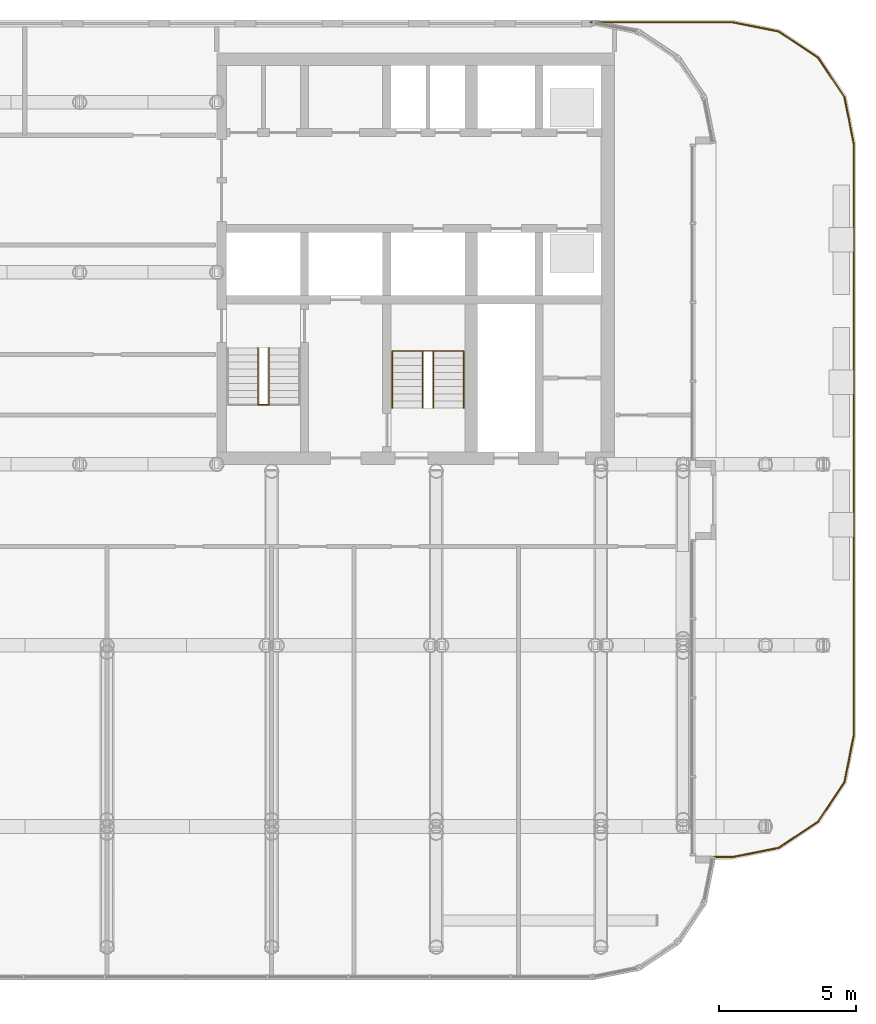
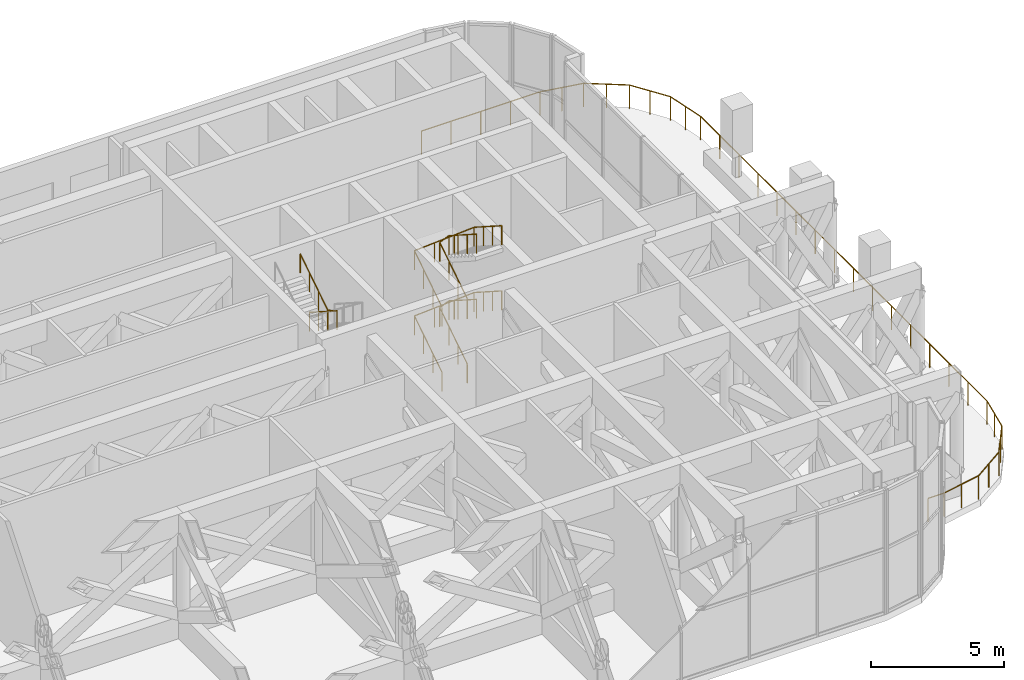
# One storey, part 23 of 25: 6 railings.
"""IFC4 building model written with IfcOpenShell, lengths in metres."""

from ifc_helpers import new_model, si_unit, direction, frame, origin, origin_2d, place, context, subcontext, project, spatial, circle, extrude, material, type_object, element, save


model = new_model("IFC4")

# Units and contexts
model_context = context("Model", 3, precision=1e-05, world=origin(), true_north=direction((0.0, 1.0)))
body_context = subcontext(model_context, "Body", "Model", "MODEL_VIEW")
ifc_project = project(units=[si_unit("LENGTHUNIT", "METRE"), si_unit("AREAUNIT", "SQUARE_METRE"), si_unit("VOLUMEUNIT", "CUBIC_METRE"), si_unit("PLANEANGLEUNIT", "RADIAN"), si_unit("MASSUNIT", "GRAM", prefix="KILO")], contexts=[model_context])

# Site, building, storey
site_placement = place(None, origin())
site = spatial("IfcSite", under=ifc_project, at=site_placement, CompositionType="ELEMENT")
building_placement = place(site_placement, origin())
building = spatial("IfcBuilding", under=site, at=building_placement, Name="Torana Hotel and Residences", CompositionType="ELEMENT")
storey_placement = place(building_placement, frame((0.0, 0.0, 106.800048828125)))
storey = spatial("IfcBuildingStorey", under=building, at=storey_placement, Name="L27", CompositionType="ELEMENT", Elevation=106.800048828125)

# Railings
ifc_material_1 = material(Name="Laminated glass balustrade with black handrail", Category="glass")
railing_type_1 = type_object("IfcRailingType", Name="GR1 BALCONY GUARD 1100 GLASS", PredefinedType="GUARDRAIL", material=ifc_material_1)
railing_1_placement = place(storey_placement, frame((23.625, 1.1201171875, 0.0)))
element("IfcRailing", 1, at=railing_1_placement, inside=storey, type_object=railing_type_1, Name="Terrace guard L27 1", PredefinedType="GUARDRAIL", context=body_context, shape_type="SweptSolid", body=[
    extrude(circle(Radius=0.02392578125, at=origin_2d()), frame((0.0, 0.0, 1.076171875), z_axis=(1.0, 0.0, 0.0), x_axis=(0.0, 1.0, 0.0)), (0.0, 0.0, 1.0), 5.1669921875),
    extrude(circle(Radius=0.02392578125, at=origin_2d()), frame((5.1669921875, 0.0, 1.076171875), z_axis=(0.980764541921, -0.195194552459, 0.0), x_axis=(0.195194552459, 0.980764541921, 0.0)), (0.0, 0.0, 1.0), 1.732177734375),
    extrude(circle(Radius=0.02392578125, at=origin_2d()), frame((6.865966796875, -0.338134765625, 1.076171875), z_axis=(0.831461551283, -0.555582296999, 0.0), x_axis=(0.555582296999, 0.831461551283, 0.0)), (0.0, 0.0, 1.0), 1.723876953125),
    extrude(circle(Radius=0.02392578125, at=origin_2d()), frame((8.29931640625, -1.2958984375, 1.076171875), z_axis=(0.555582296999, -0.831461551283, 0.0), x_axis=(0.831461551283, 0.555582296999, 0.0)), (0.0, 0.0, 1.0), 1.723876953125),
    extrude(circle(Radius=0.02392578125, at=origin_2d()), frame((9.257080078125, -2.729248046875, 1.076171875), z_axis=(0.195085948833, -0.980786150273, 0.0), x_axis=(0.980786150273, 0.195085948833, 0.0)), (0.0, 0.0, 1.0), 1.73193359375),
    extrude(circle(Radius=0.02392578125, at=origin_2d()), frame((9.594970703125, -4.427978515625, 1.076171875), z_axis=(0.0, -1.0, 0.0), x_axis=(1.0, 0.0, 0.0)), (0.0, 0.0, 1.0), 21.584228515625),
    extrude(circle(Radius=0.02392578125, at=origin_2d()), frame((9.594970703125, -26.01220703125, 1.076171875), z_axis=(-0.195085948833, -0.980786150273, 0.0), x_axis=(0.980786150273, -0.195085948833, 0.0)), (0.0, 0.0, 1.0), 1.73193359375),
    extrude(circle(Radius=0.02392578125, at=origin_2d()), frame((9.257080078125, -27.7109375, 1.076171875), z_axis=(-0.555516881458, -0.831505258201, 0.0), x_axis=(0.831505258201, -0.555516881458, 0.0)), (0.0, 0.0, 1.0), 1.72412109375),
    extrude(circle(Radius=0.02392578125, at=origin_2d()), frame((8.29931640625, -29.14453125, 1.076171875), z_axis=(-0.831461551283, -0.555582296999, 0.0), x_axis=(0.555582296999, -0.831461551283, 0.0)), (0.0, 0.0, 1.0), 1.723876953125),
    extrude(circle(Radius=0.02392578125, at=origin_2d()), frame((6.865966796875, -30.102294921875, 1.076171875), z_axis=(-0.980791513817, -0.195058981912, 0.0), x_axis=(0.195058981912, -0.980791513817, 0.0)), (0.0, 0.0, 1.0), 1.732177734375),
    extrude(circle(Radius=0.02392578125, at=origin_2d()), frame((5.1669921875, -30.440185546875, 1.076171875), z_axis=(-1.0, 0.0, 0.0), x_axis=(0.0, -1.0, 0.0)), (0.0, 0.0, 1.0), 0.69091796875),
    extrude(circle(Radius=0.02099609375, at=origin_2d()), origin(), (0.0, 0.0, 1.0), 1.052001953125),
    extrude(circle(Radius=0.02099609375, at=origin_2d()), frame((1.291748046875, 0.0, 0.0)), (0.0, 0.0, 1.0), 1.052001953125),
    extrude(circle(Radius=0.02099609375, at=origin_2d()), frame((2.58349609375, 0.0, 0.0)), (0.0, 0.0, 1.0), 1.052001953125),
    extrude(circle(Radius=0.02099609375, at=origin_2d()), frame((3.875244140625, 0.0, 0.0)), (0.0, 0.0, 1.0), 1.052001953125),
    extrude(circle(Radius=0.02099609375, at=origin_2d()), frame((5.1669921875, 0.0, 0.0)), (0.0, 0.0, 1.0), 1.052001953125),
    extrude(circle(Radius=0.02099609375, at=origin_2d()), frame((6.0166015625, -0.1689453125, 0.0)), (0.0, 0.0, 1.0), 1.052001953125),
    extrude(circle(Radius=0.02099609375, at=origin_2d()), frame((6.865966796875, -0.338134765625, 0.0)), (0.0, 0.0, 1.0), 1.052001953125),
    extrude(circle(Radius=0.02099609375, at=origin_2d()), frame((7.58251953125, -0.81689453125, 0.0)), (0.0, 0.0, 1.0), 1.052001953125),
    extrude(circle(Radius=0.02099609375, at=origin_2d()), frame((8.29931640625, -1.2958984375, 0.0)), (0.0, 0.0, 1.0), 1.052001953125),
    extrude(circle(Radius=0.02099609375, at=origin_2d()), frame((8.7783203125, -2.0126953125, 0.0)), (0.0, 0.0, 1.0), 1.052001953125),
    extrude(circle(Radius=0.02099609375, at=origin_2d()), frame((9.257080078125, -2.729248046875, 0.0)), (0.0, 0.0, 1.0), 1.052001953125),
    extrude(circle(Radius=0.02099609375, at=origin_2d()), frame((9.426025390625, -3.57861328125, 0.0)), (0.0, 0.0, 1.0), 1.052001953125),
    extrude(circle(Radius=0.02099609375, at=origin_2d()), frame((9.594970703125, -4.427978515625, 0.0)), (0.0, 0.0, 1.0), 1.052001953125),
    extrude(circle(Radius=0.02099609375, at=origin_2d()), frame((9.594970703125, -5.866943359375, 0.0)), (0.0, 0.0, 1.0), 1.052001953125),
    extrude(circle(Radius=0.02099609375, at=origin_2d()), frame((9.594970703125, -7.305908203125, 0.0)), (0.0, 0.0, 1.0), 1.052001953125),
    extrude(circle(Radius=0.02099609375, at=origin_2d()), frame((9.594970703125, -8.744873046875, 0.0)), (0.0, 0.0, 1.0), 1.052001953125),
    extrude(circle(Radius=0.02099609375, at=origin_2d()), frame((9.594970703125, -10.183837890625, 0.0)), (0.0, 0.0, 1.0), 1.052001953125),
    extrude(circle(Radius=0.02099609375, at=origin_2d()), frame((9.594970703125, -11.622802734375, 0.0)), (0.0, 0.0, 1.0), 1.052001953125),
    extrude(circle(Radius=0.02099609375, at=origin_2d()), frame((9.594970703125, -13.061767578125, 0.0)), (0.0, 0.0, 1.0), 1.052001953125),
    extrude(circle(Radius=0.02099609375, at=origin_2d()), frame((9.594970703125, -14.500732421875, 0.0)), (0.0, 0.0, 1.0), 1.052001953125),
    extrude(circle(Radius=0.02099609375, at=origin_2d()), frame((9.594970703125, -15.939453125, 0.0)), (0.0, 0.0, 1.0), 1.052001953125),
    extrude(circle(Radius=0.02099609375, at=origin_2d()), frame((9.594970703125, -17.37841796875, 0.0)), (0.0, 0.0, 1.0), 1.052001953125),
    extrude(circle(Radius=0.02099609375, at=origin_2d()), frame((9.594970703125, -18.8173828125, 0.0)), (0.0, 0.0, 1.0), 1.052001953125),
    extrude(circle(Radius=0.02099609375, at=origin_2d()), frame((9.594970703125, -20.25634765625, 0.0)), (0.0, 0.0, 1.0), 1.052001953125),
    extrude(circle(Radius=0.02099609375, at=origin_2d()), frame((9.594970703125, -21.6953125, 0.0)), (0.0, 0.0, 1.0), 1.052001953125),
    extrude(circle(Radius=0.02099609375, at=origin_2d()), frame((9.594970703125, -23.13427734375, 0.0)), (0.0, 0.0, 1.0), 1.052001953125),
    extrude(circle(Radius=0.02099609375, at=origin_2d()), frame((9.594970703125, -24.5732421875, 0.0)), (0.0, 0.0, 1.0), 1.052001953125),
    extrude(circle(Radius=0.02099609375, at=origin_2d()), frame((9.594970703125, -26.01220703125, 0.0)), (0.0, 0.0, 1.0), 1.052001953125),
    extrude(circle(Radius=0.02099609375, at=origin_2d()), frame((9.426025390625, -26.861572265625, 0.0)), (0.0, 0.0, 1.0), 1.052001953125),
    extrude(circle(Radius=0.02099609375, at=origin_2d()), frame((9.257080078125, -27.7109375, 0.0)), (0.0, 0.0, 1.0), 1.052001953125),
    extrude(circle(Radius=0.02099609375, at=origin_2d()), frame((8.7783203125, -28.427734375, 0.0)), (0.0, 0.0, 1.0), 1.052001953125),
    extrude(circle(Radius=0.02099609375, at=origin_2d()), frame((8.29931640625, -29.14453125, 0.0)), (0.0, 0.0, 1.0), 1.052001953125),
    extrude(circle(Radius=0.02099609375, at=origin_2d()), frame((7.58251953125, -29.62353515625, 0.0)), (0.0, 0.0, 1.0), 1.052001953125),
    extrude(circle(Radius=0.02099609375, at=origin_2d()), frame((6.865966796875, -30.102294921875, 0.0)), (0.0, 0.0, 1.0), 1.052001953125),
    extrude(circle(Radius=0.02099609375, at=origin_2d()), frame((6.0166015625, -30.271240234375, 0.0)), (0.0, 0.0, 1.0), 1.052001953125),
    extrude(circle(Radius=0.02099609375, at=origin_2d()), frame((5.1669921875, -30.440185546875, 0.0)), (0.0, 0.0, 1.0), 1.052001953125),
    extrude(circle(Radius=0.02099609375, at=origin_2d()), frame((4.47607421875, -30.440185546875, 0.0)), (0.0, 0.0, 1.0), 1.052001953125),
])
ifc_material_2 = material(Name="Stainless steel 316", Category="steel")
railing_type_2 = type_object("IfcRailingType", Name="STAIR HANDRAIL HR1 900", PredefinedType="HANDRAIL", material=ifc_material_2)
railing_2_placement = place(storey_placement, frame((11.89990234375, -10.75, 3.166748046875)))
element("IfcRailing", 2, at=railing_2_placement, inside=storey, type_object=railing_type_2, Name="Handrail ST3 L27 I2", PredefinedType="HANDRAIL", context=body_context, shape_type="SweptSolid", body=[
    extrude(circle(Radius=0.02392578125, at=origin_2d()), frame((0.0, 0.0, 0.8759765625), z_axis=(0.0, -0.841903312325, 0.539628402418), x_axis=(1.0, 0.0, 0.0)), (0.0, 0.0, 1.0), 2.470703125),
    extrude(circle(Radius=0.02392578125, at=origin_2d()), frame((0.0, -2.080078125, 2.208984375), z_axis=(-0.922976866191, 0.0, 0.384855433216), x_axis=(0.0, -1.0, 0.0)), (0.0, 0.0, 1.0), 0.433349609375),
    extrude(circle(Radius=0.02392578125, at=origin_2d()), frame((-0.39990234375, -2.080078125, 2.3759765625), z_axis=(0.0, 0.841903312325, 0.539628402418), x_axis=(-1.0, 0.0, 0.0)), (0.0, 0.0, 1.0), 2.470703125),
    extrude(circle(Radius=0.02099609375, at=origin_2d()), origin(), (0.0, 0.0, 1.0), 0.851806640625),
    extrude(circle(Radius=0.02099609375, at=origin_2d()), frame((0.0, -0.693359375, 0.4443359375)), (0.0, 0.0, 1.0), 0.851806640625),
    extrude(circle(Radius=0.02099609375, at=origin_2d()), frame((0.0, -1.38671875, 0.888916015625)), (0.0, 0.0, 1.0), 0.851806640625),
    extrude(circle(Radius=0.02099609375, at=origin_2d()), frame((0.0, -2.080078125, 1.333251953125)), (0.0, 0.0, 1.0), 0.851806640625),
    extrude(circle(Radius=0.02099609375, at=origin_2d()), frame((-0.39990234375, -2.080078125, 1.5)), (0.0, 0.0, 1.0), 0.851806640625),
    extrude(circle(Radius=0.02099609375, at=origin_2d()), frame((-0.39990234375, -1.38671875, 1.9443359375)), (0.0, 0.0, 1.0), 0.851806640625),
    extrude(circle(Radius=0.02099609375, at=origin_2d()), frame((-0.39990234375, -0.693359375, 2.388916015625)), (0.0, 0.0, 1.0), 0.851806640625),
    extrude(circle(Radius=0.02099609375, at=origin_2d()), frame((-0.39990234375, 0.0, 2.833251953125)), (0.0, 0.0, 1.0), 0.851806640625),
])
railing_3_placement = place(storey_placement, frame((16.39990234375, -12.949951171875, 0.166748046875)))
element("IfcRailing", 3, at=railing_3_placement, inside=storey, type_object=railing_type_2, Name="Handrail ST4 L27 O1", PredefinedType="HANDRAIL", context=body_context, shape_type="SweptSolid", body=[
    extrude(circle(Radius=0.02392578125, at=origin_2d()), frame((0.0, 0.0, 0.8759765625), z_axis=(0.0, 0.84187453394, 0.539673298491), x_axis=(-1.0, 0.0, 0.0)), (0.0, 0.0, 1.0), 2.470458984375),
    extrude(circle(Radius=0.02392578125, at=origin_2d()), frame((0.0, 2.079833984375, 2.208984375), z_axis=(0.997949899857, 0.0, 0.063999979493), x_axis=(0.0, 1.0, 0.0)), (0.0, 0.0, 1.0), 2.60546875),
    extrude(circle(Radius=0.02392578125, at=origin_2d()), frame((2.60009765625, 2.079833984375, 2.3759765625), z_axis=(0.0, -0.84187453394, 0.539673298491), x_axis=(1.0, 0.0, 0.0)), (0.0, 0.0, 1.0), 2.470458984375),
    extrude(circle(Radius=0.02099609375, at=origin_2d()), origin(), (0.0, 0.0, 1.0), 0.851806640625),
    extrude(circle(Radius=0.02099609375, at=origin_2d()), frame((0.0, 0.693359375, 0.4443359375)), (0.0, 0.0, 1.0), 0.851806640625),
    extrude(circle(Radius=0.02099609375, at=origin_2d()), frame((0.0, 1.386474609375, 0.888916015625)), (0.0, 0.0, 1.0), 0.851806640625),
    extrude(circle(Radius=0.02099609375, at=origin_2d()), frame((0.0, 2.079833984375, 1.333251953125)), (0.0, 0.0, 1.0), 0.851806640625),
    extrude(circle(Radius=0.02099609375, at=origin_2d()), frame((0.86669921875, 2.079833984375, 1.388916015625)), (0.0, 0.0, 1.0), 0.851806640625),
    extrude(circle(Radius=0.02099609375, at=origin_2d()), frame((1.7333984375, 2.079833984375, 1.4443359375)), (0.0, 0.0, 1.0), 0.851806640625),
    extrude(circle(Radius=0.02099609375, at=origin_2d()), frame((2.60009765625, 2.079833984375, 1.5)), (0.0, 0.0, 1.0), 0.851806640625),
    extrude(circle(Radius=0.02099609375, at=origin_2d()), frame((2.60009765625, 1.386474609375, 1.9443359375)), (0.0, 0.0, 1.0), 0.851806640625),
    extrude(circle(Radius=0.02099609375, at=origin_2d()), frame((2.60009765625, 0.693359375, 2.388916015625)), (0.0, 0.0, 1.0), 0.851806640625),
    extrude(circle(Radius=0.02099609375, at=origin_2d()), frame((2.60009765625, 0.0, 2.833251953125)), (0.0, 0.0, 1.0), 0.851806640625),
])
railing_4_placement = place(storey_placement, frame((17.5, -12.949951171875, 0.166748046875)))
element("IfcRailing", 4, at=railing_4_placement, inside=storey, type_object=railing_type_2, Name="Handrail ST4 L27 I1", PredefinedType="HANDRAIL", context=body_context, shape_type="SweptSolid", body=[
    extrude(circle(Radius=0.02392578125, at=origin_2d()), frame((0.0, 0.0, 0.8759765625), z_axis=(0.0, 0.84187453394, 0.539673298491), x_axis=(-1.0, 0.0, 0.0)), (0.0, 0.0, 1.0), 2.470458984375),
    extrude(circle(Radius=0.02392578125, at=origin_2d()), frame((0.0, 2.079833984375, 2.208984375), z_axis=(0.922976866191, 0.0, 0.384855433216), x_axis=(0.0, 1.0, 0.0)), (0.0, 0.0, 1.0), 0.433349609375),
    extrude(circle(Radius=0.02392578125, at=origin_2d()), frame((0.39990234375, 2.079833984375, 2.3759765625), z_axis=(0.0, -0.84187453394, 0.539673298491), x_axis=(1.0, 0.0, 0.0)), (0.0, 0.0, 1.0), 2.470458984375),
    extrude(circle(Radius=0.02099609375, at=origin_2d()), origin(), (0.0, 0.0, 1.0), 0.851806640625),
    extrude(circle(Radius=0.02099609375, at=origin_2d()), frame((0.0, 0.693359375, 0.4443359375)), (0.0, 0.0, 1.0), 0.851806640625),
    extrude(circle(Radius=0.02099609375, at=origin_2d()), frame((0.0, 1.386474609375, 0.888916015625)), (0.0, 0.0, 1.0), 0.851806640625),
    extrude(circle(Radius=0.02099609375, at=origin_2d()), frame((0.0, 2.079833984375, 1.333251953125)), (0.0, 0.0, 1.0), 0.851806640625),
    extrude(circle(Radius=0.02099609375, at=origin_2d()), frame((0.39990234375, 2.079833984375, 1.5)), (0.0, 0.0, 1.0), 0.851806640625),
    extrude(circle(Radius=0.02099609375, at=origin_2d()), frame((0.39990234375, 1.386474609375, 1.9443359375)), (0.0, 0.0, 1.0), 0.851806640625),
    extrude(circle(Radius=0.02099609375, at=origin_2d()), frame((0.39990234375, 0.693359375, 2.388916015625)), (0.0, 0.0, 1.0), 0.851806640625),
    extrude(circle(Radius=0.02099609375, at=origin_2d()), frame((0.39990234375, 0.0, 2.833251953125)), (0.0, 0.0, 1.0), 0.851806640625),
])
railing_5_placement = place(storey_placement, frame((16.39990234375, -12.949951171875, 3.166748046875)))
element("IfcRailing", 5, at=railing_5_placement, inside=storey, type_object=railing_type_2, Name="Handrail ST4 L27 O2", PredefinedType="HANDRAIL", context=body_context, shape_type="SweptSolid", body=[
    extrude(circle(Radius=0.02392578125, at=origin_2d()), frame((0.0, 0.0, 0.8759765625), z_axis=(0.0, 0.84187453394, 0.539673298491), x_axis=(-1.0, 0.0, 0.0)), (0.0, 0.0, 1.0), 2.470458984375),
    extrude(circle(Radius=0.02392578125, at=origin_2d()), frame((0.0, 2.079833984375, 2.208984375), z_axis=(0.997949899857, 0.0, 0.063999979493), x_axis=(0.0, 1.0, 0.0)), (0.0, 0.0, 1.0), 2.60546875),
    extrude(circle(Radius=0.02392578125, at=origin_2d()), frame((2.60009765625, 2.079833984375, 2.3759765625), z_axis=(0.0, -0.84187453394, 0.539673298491), x_axis=(1.0, 0.0, 0.0)), (0.0, 0.0, 1.0), 2.470458984375),
    extrude(circle(Radius=0.02099609375, at=origin_2d()), origin(), (0.0, 0.0, 1.0), 0.851806640625),
    extrude(circle(Radius=0.02099609375, at=origin_2d()), frame((0.0, 0.693359375, 0.4443359375)), (0.0, 0.0, 1.0), 0.851806640625),
    extrude(circle(Radius=0.02099609375, at=origin_2d()), frame((0.0, 1.386474609375, 0.888916015625)), (0.0, 0.0, 1.0), 0.851806640625),
    extrude(circle(Radius=0.02099609375, at=origin_2d()), frame((0.0, 2.079833984375, 1.333251953125)), (0.0, 0.0, 1.0), 0.851806640625),
    extrude(circle(Radius=0.02099609375, at=origin_2d()), frame((0.86669921875, 2.079833984375, 1.388916015625)), (0.0, 0.0, 1.0), 0.851806640625),
    extrude(circle(Radius=0.02099609375, at=origin_2d()), frame((1.7333984375, 2.079833984375, 1.4443359375)), (0.0, 0.0, 1.0), 0.851806640625),
    extrude(circle(Radius=0.02099609375, at=origin_2d()), frame((2.60009765625, 2.079833984375, 1.5)), (0.0, 0.0, 1.0), 0.851806640625),
    extrude(circle(Radius=0.02099609375, at=origin_2d()), frame((2.60009765625, 1.386474609375, 1.9443359375)), (0.0, 0.0, 1.0), 0.851806640625),
    extrude(circle(Radius=0.02099609375, at=origin_2d()), frame((2.60009765625, 0.693359375, 2.388916015625)), (0.0, 0.0, 1.0), 0.851806640625),
    extrude(circle(Radius=0.02099609375, at=origin_2d()), frame((2.60009765625, 0.0, 2.833251953125)), (0.0, 0.0, 1.0), 0.851806640625),
])
railing_6_placement = place(storey_placement, frame((17.5, -12.949951171875, 3.166748046875)))
element("IfcRailing", 6, at=railing_6_placement, inside=storey, type_object=railing_type_2, Name="Handrail ST4 L27 I2", PredefinedType="HANDRAIL", context=body_context, shape_type="SweptSolid", body=[
    extrude(circle(Radius=0.02392578125, at=origin_2d()), frame((0.0, 0.0, 0.8759765625), z_axis=(0.0, 0.84187453394, 0.539673298491), x_axis=(-1.0, 0.0, 0.0)), (0.0, 0.0, 1.0), 2.470458984375),
    extrude(circle(Radius=0.02392578125, at=origin_2d()), frame((0.0, 2.079833984375, 2.208984375), z_axis=(0.922976866191, 0.0, 0.384855433216), x_axis=(0.0, 1.0, 0.0)), (0.0, 0.0, 1.0), 0.433349609375),
    extrude(circle(Radius=0.02392578125, at=origin_2d()), frame((0.39990234375, 2.079833984375, 2.3759765625), z_axis=(0.0, -0.84187453394, 0.539673298491), x_axis=(1.0, 0.0, 0.0)), (0.0, 0.0, 1.0), 2.470458984375),
    extrude(circle(Radius=0.02099609375, at=origin_2d()), origin(), (0.0, 0.0, 1.0), 0.851806640625),
    extrude(circle(Radius=0.02099609375, at=origin_2d()), frame((0.0, 0.693359375, 0.4443359375)), (0.0, 0.0, 1.0), 0.851806640625),
    extrude(circle(Radius=0.02099609375, at=origin_2d()), frame((0.0, 1.386474609375, 0.888916015625)), (0.0, 0.0, 1.0), 0.851806640625),
    extrude(circle(Radius=0.02099609375, at=origin_2d()), frame((0.0, 2.079833984375, 1.333251953125)), (0.0, 0.0, 1.0), 0.851806640625),
    extrude(circle(Radius=0.02099609375, at=origin_2d()), frame((0.39990234375, 2.079833984375, 1.5)), (0.0, 0.0, 1.0), 0.851806640625),
    extrude(circle(Radius=0.02099609375, at=origin_2d()), frame((0.39990234375, 1.386474609375, 1.9443359375)), (0.0, 0.0, 1.0), 0.851806640625),
    extrude(circle(Radius=0.02099609375, at=origin_2d()), frame((0.39990234375, 0.693359375, 2.388916015625)), (0.0, 0.0, 1.0), 0.851806640625),
    extrude(circle(Radius=0.02099609375, at=origin_2d()), frame((0.39990234375, 0.0, 2.833251953125)), (0.0, 0.0, 1.0), 0.851806640625),
])

save(model, "model.ifc")
